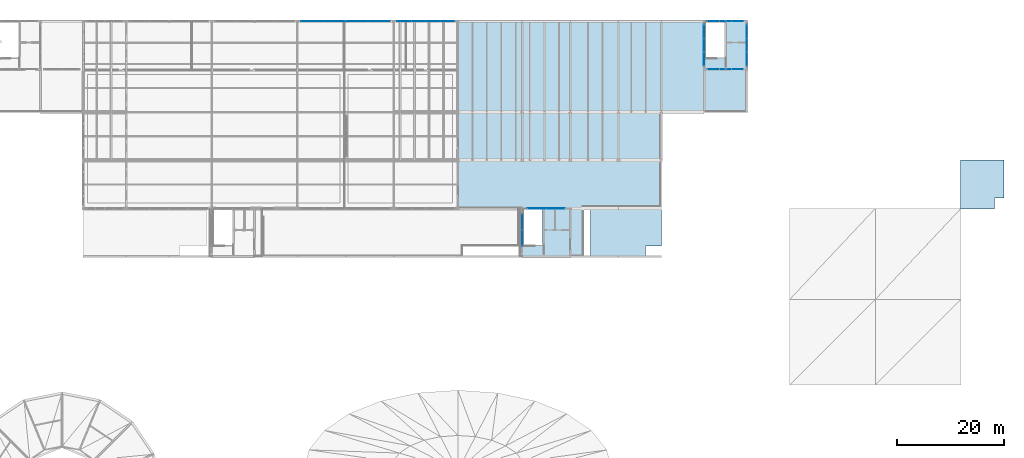
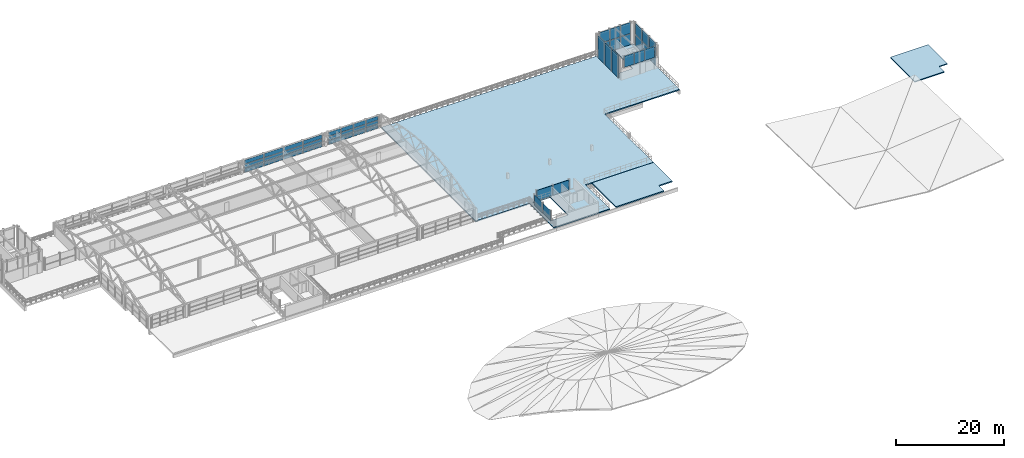
# One storey, part 29 of 50: 46 plates, 3 slabs, 8 elements without a shape of their own.
"""IFC4 building model written with IfcOpenShell, lengths in metres."""

from ifc_helpers import new_model, si_unit, derived_unit, direction, frame, origin, origin_2d, place, context, subcontext, project, spatial, polyline, rectangle, outline, extrude, material, layer, layer_set, type_object, element, aggregate, save


model = new_model("IFC4")

# Units and contexts
model_context = context("Model", 3, precision=1e-05, world=origin(), true_north=direction((0.0, 1.0)))
body_context = subcontext(model_context, "Body", "Model", "MODEL_VIEW")
ifc_project = project(units=[si_unit("LENGTHUNIT", "METRE"), si_unit("AREAUNIT", "SQUARE_METRE"), si_unit("VOLUMEUNIT", "CUBIC_METRE"), si_unit("PLANEANGLEUNIT", "RADIAN"), si_unit("MASSUNIT", "GRAM", prefix="KILO"), si_unit("THERMODYNAMICTEMPERATUREUNIT", "KELVIN"), derived_unit("THERMALTRANSMITTANCEUNIT", [(si_unit("POWERUNIT", "WATT"), 1), (si_unit("AREAUNIT", "SQUARE_METRE"), -1), (si_unit("THERMODYNAMICTEMPERATUREUNIT", "KELVIN"), -1)])], contexts=[model_context])

# Site, building, storey
site_placement = place(None, origin())
site = spatial("IfcSite", under=ifc_project, at=site_placement, CompositionType="ELEMENT")
building_placement = place(site_placement, origin())
building = spatial("IfcBuilding", under=site, at=building_placement, Name="Haiyu Intermodal Mobility Hub", CompositionType="ELEMENT")
storey_placement = place(building_placement, frame((0.0, 0.0, 25.10009765625)))
storey = spatial("IfcBuildingStorey", under=building, at=storey_placement, Name="L06", CompositionType="ELEMENT", Elevation=25.10009765625)

# Curtain wall, plates
ifc_material_1 = material(Name="Low-e laminated insulating glass", Category="glass")
ifc_layer_1 = layer(ifc_material_1, 0.199951171875)
ifc_layer_set_1 = layer_set([ifc_layer_1], Name="Low-e laminated insulating glass")
curtain_wall_type_1 = type_object("IfcCurtainWallType", Name="CW-CW03", PredefinedType="NOTDEFINED", material=ifc_layer_set_1)
curtain_wall_1_placement = place(storey_placement, origin())
curtain_wall_1 = element("IfcCurtainWall", 1, at=curtain_wall_1_placement, inside=storey, type_object=curtain_wall_type_1, Name="Curtain Wall CW-C4N-L06-075", PredefinedType="NOTDEFINED")
ifc_layer_2 = layer(ifc_material_1, 0.0400390625)
ifc_layer_set_2 = layer_set([ifc_layer_2], Name="Low-e laminated insulating glass")
plate_type_1 = type_object("IfcPlateType", Name="PLT-CP03", PredefinedType="CURTAIN_PANEL", material=ifc_layer_set_2)
plate_1_placement = place(storey_placement, frame((160.22705078125, 148.0, 0.035400390625), z_axis=(0.0, 0.0, 1.0), x_axis=(-1.0, 0.0, 0.0)))
plate_1 = element("IfcPlate", 2, at=plate_1_placement, type_object=plate_type_1, Name="CW-C4N-L06-075-PN01", PredefinedType="CURTAIN_PANEL", context=body_context, shape_type="SweptSolid", body=[
    extrude(rectangle(XDim=2.136962890625, YDim=0.0400390625, at=origin_2d()), origin(), (0.0, 0.0, 1.0), 2.5048828125),
])
plate_2_placement = place(storey_placement, frame((158.0, 148.0, 0.035400390625), z_axis=(0.0, 0.0, 1.0), x_axis=(-1.0, 0.0, 0.0)))
plate_2 = element("IfcPlate", 3, at=plate_2_placement, type_object=plate_type_1, Name="CW-C4N-L06-075-PN03", PredefinedType="CURTAIN_PANEL", context=body_context, shape_type="SweptSolid", body=[
    extrude(rectangle(XDim=2.136962890625, YDim=0.0400390625, at=origin_2d()), origin(), (0.0, 0.0, 1.0), 2.5048828125),
])
plate_3_placement = place(storey_placement, frame((155.77294921875, 148.0, 0.035400390625), z_axis=(0.0, 0.0, 1.0), x_axis=(-1.0, 0.0, 0.0)))
plate_3 = element("IfcPlate", 4, at=plate_3_placement, type_object=plate_type_1, Name="CW-C4N-L06-075-PN05", PredefinedType="CURTAIN_PANEL", context=body_context, shape_type="SweptSolid", body=[
    extrude(rectangle(XDim=2.136962890625, YDim=0.0400390625, at=origin_2d()), origin(), (0.0, 0.0, 1.0), 2.5048828125),
])

curtain_wall_2_placement = place(storey_placement, origin())
curtain_wall_2 = element("IfcCurtainWall", 5, at=curtain_wall_2_placement, inside=storey, type_object=curtain_wall_type_1, Name="Curtain Wall CW-C4S-L06-076", PredefinedType="NOTDEFINED")
plate_4_placement = place(storey_placement, frame((162.0, 140.93994140625, 0.035400390625), z_axis=(0.0, 0.0, 1.0), x_axis=(0.0, 1.0, 0.0)))
plate_4 = element("IfcPlate", 6, at=plate_4_placement, type_object=plate_type_1, Name="CW-C4S-L06-076-PN01", PredefinedType="CURTAIN_PANEL", context=body_context, shape_type="SweptSolid", body=[
    extrude(rectangle(XDim=2.469970703125, YDim=0.0400390625, at=origin_2d()), origin(), (0.0, 0.0, 1.0), 2.5048828125),
])
plate_5_placement = place(storey_placement, frame((162.0, 143.5, 0.035400390625), z_axis=(0.0, 0.0, 1.0), x_axis=(0.0, 1.0, 0.0)))
plate_5 = element("IfcPlate", 7, at=plate_5_placement, type_object=plate_type_1, Name="CW-C4S-L06-076-PN03", PredefinedType="CURTAIN_PANEL", context=body_context, shape_type="SweptSolid", body=[
    extrude(rectangle(XDim=2.469970703125, YDim=0.0400390625, at=origin_2d()), origin(), (0.0, 0.0, 1.0), 2.5048828125),
])
plate_6_placement = place(storey_placement, frame((162.0, 146.06005859375, 0.035400390625), z_axis=(0.0, 0.0, 1.0), x_axis=(0.0, 1.0, 0.0)))
plate_6 = element("IfcPlate", 8, at=plate_6_placement, type_object=plate_type_1, Name="CW-C4S-L06-076-PN05", PredefinedType="CURTAIN_PANEL", context=body_context, shape_type="SweptSolid", body=[
    extrude(rectangle(XDim=2.469970703125, YDim=0.0400390625, at=origin_2d()), origin(), (0.0, 0.0, 1.0), 2.5048828125),
])

ifc_layer_3 = layer(ifc_material_1, 0.22998046875)
ifc_layer_set_3 = layer_set([ifc_layer_3], Name="Low-e laminated insulating glass")
curtain_wall_type_2 = type_object("IfcCurtainWallType", Name="CW-CW05", PredefinedType="NOTDEFINED", material=ifc_layer_set_3)
curtain_wall_3_placement = place(storey_placement, origin())
curtain_wall_3 = element("IfcCurtainWall", 9, at=curtain_wall_3_placement, inside=storey, type_object=curtain_wall_type_2, Name="Curtain Wall CW-V3N-161", PredefinedType="NOTDEFINED")
plate_7_placement = place(storey_placement, frame((93.2548828125, 148.0, 0.034912109375), z_axis=(0.0, 0.0, 1.0), x_axis=(-1.0, 0.0, 0.0)))
plate_7 = element("IfcPlate", 10, at=plate_7_placement, type_object=plate_type_1, Name="CW-V3N-161-PN01", PredefinedType="CURTAIN_PANEL", context=body_context, shape_type="SweptSolid", body=[
    extrude(rectangle(XDim=4.080078125, YDim=0.0400390625, at=origin_2d()), origin(), (0.0, 0.0, 1.0), 0.8798828125),
])
plate_8_placement = place(storey_placement, frame((93.2548828125, 148.0, 0.98486328125), z_axis=(0.0, 0.0, 1.0), x_axis=(-1.0, 0.0, 0.0)))
plate_8 = element("IfcPlate", 11, at=plate_8_placement, type_object=plate_type_1, Name="CW-V3N-161-PN02", PredefinedType="CURTAIN_PANEL", context=body_context, shape_type="SweptSolid", body=[
    extrude(rectangle(XDim=4.080078125, YDim=0.0400390625, at=origin_2d()), origin(), (0.0, 0.0, 1.0), 0.8798828125),
])
plate_9_placement = place(storey_placement, frame((89.0849609375, 148.0, 0.034912109375), z_axis=(0.0, 0.0, 1.0), x_axis=(-1.0, 0.0, 0.0)))
plate_9 = element("IfcPlate", 12, at=plate_9_placement, type_object=plate_type_1, Name="CW-V3N-161-PN04", PredefinedType="CURTAIN_PANEL", context=body_context, shape_type="SweptSolid", body=[
    extrude(rectangle(XDim=4.080078125, YDim=0.0400390625, at=origin_2d()), origin(), (0.0, 0.0, 1.0), 0.8798828125),
])
plate_10_placement = place(storey_placement, frame((89.0849609375, 148.0, 0.98486328125), z_axis=(0.0, 0.0, 1.0), x_axis=(-1.0, 0.0, 0.0)))
plate_10 = element("IfcPlate", 13, at=plate_10_placement, type_object=plate_type_1, Name="CW-V3N-161-PN05", PredefinedType="CURTAIN_PANEL", context=body_context, shape_type="SweptSolid", body=[
    extrude(rectangle(XDim=4.080078125, YDim=0.0400390625, at=origin_2d()), origin(), (0.0, 0.0, 1.0), 0.8798828125),
])
plate_11_placement = place(storey_placement, frame((84.9150390625, 148.0, 0.034912109375), z_axis=(0.0, 0.0, 1.0), x_axis=(-1.0, 0.0, 0.0)))
plate_11 = element("IfcPlate", 14, at=plate_11_placement, type_object=plate_type_1, Name="CW-V3N-161-PN07", PredefinedType="CURTAIN_PANEL", context=body_context, shape_type="SweptSolid", body=[
    extrude(rectangle(XDim=4.080078125, YDim=0.0400390625, at=origin_2d()), origin(), (0.0, 0.0, 1.0), 0.8798828125),
])
plate_12_placement = place(storey_placement, frame((84.9150390625, 148.0, 0.98486328125), z_axis=(0.0, 0.0, 1.0), x_axis=(-1.0, 0.0, 0.0)))
plate_12 = element("IfcPlate", 15, at=plate_12_placement, type_object=plate_type_1, Name="CW-V3N-161-PN08", PredefinedType="CURTAIN_PANEL", context=body_context, shape_type="SweptSolid", body=[
    extrude(rectangle(XDim=4.080078125, YDim=0.0400390625, at=origin_2d()), origin(), (0.0, 0.0, 1.0), 0.8798828125),
])
plate_13_placement = place(storey_placement, frame((80.7451171875, 148.0, 0.034912109375), z_axis=(0.0, 0.0, 1.0), x_axis=(-1.0, 0.0, 0.0)))
plate_13 = element("IfcPlate", 16, at=plate_13_placement, type_object=plate_type_1, Name="CW-V3N-161-PN10", PredefinedType="CURTAIN_PANEL", context=body_context, shape_type="SweptSolid", body=[
    extrude(rectangle(XDim=4.080078125, YDim=0.0400390625, at=origin_2d()), origin(), (0.0, 0.0, 1.0), 0.8798828125),
])
plate_14_placement = place(storey_placement, frame((80.7451171875, 148.0, 0.98486328125), z_axis=(0.0, 0.0, 1.0), x_axis=(-1.0, 0.0, 0.0)))
plate_14 = element("IfcPlate", 17, at=plate_14_placement, type_object=plate_type_1, Name="CW-V3N-161-PN11", PredefinedType="CURTAIN_PANEL", context=body_context, shape_type="SweptSolid", body=[
    extrude(rectangle(XDim=4.080078125, YDim=0.0400390625, at=origin_2d()), origin(), (0.0, 0.0, 1.0), 0.8798828125),
])

curtain_wall_4_placement = place(storey_placement, origin())
curtain_wall_4 = element("IfcCurtainWall", 18, at=curtain_wall_4_placement, inside=storey, type_object=curtain_wall_type_2, Name="Curtain Wall CW-V3N-163", PredefinedType="NOTDEFINED")
plate_15_placement = place(storey_placement, frame((106.0048828125, 148.0, 0.034912109375), z_axis=(0.0, 0.0, 1.0), x_axis=(-1.0, 0.0, 0.0)))
plate_15 = element("IfcPlate", 19, at=plate_15_placement, type_object=plate_type_1, Name="CW-V3N-163-PN01", PredefinedType="CURTAIN_PANEL", context=body_context, shape_type="SweptSolid", body=[
    extrude(rectangle(XDim=2.580078125, YDim=0.0400390625, at=origin_2d()), origin(), (0.0, 0.0, 1.0), 0.8798828125),
])
plate_16_placement = place(storey_placement, frame((106.0048828125, 148.0, 0.98486328125), z_axis=(0.0, 0.0, 1.0), x_axis=(-1.0, 0.0, 0.0)))
plate_16 = element("IfcPlate", 20, at=plate_16_placement, type_object=plate_type_1, Name="CW-V3N-163-PN02", PredefinedType="CURTAIN_PANEL", context=body_context, shape_type="SweptSolid", body=[
    extrude(rectangle(XDim=2.580078125, YDim=0.0400390625, at=origin_2d()), origin(), (0.0, 0.0, 1.0), 0.8798828125),
])
plate_17_placement = place(storey_placement, frame((103.3349609375, 148.0, 0.034912109375), z_axis=(0.0, 0.0, 1.0), x_axis=(-1.0, 0.0, 0.0)))
plate_17 = element("IfcPlate", 21, at=plate_17_placement, type_object=plate_type_1, Name="CW-V3N-163-PN04", PredefinedType="CURTAIN_PANEL", context=body_context, shape_type="SweptSolid", body=[
    extrude(rectangle(XDim=2.580078125, YDim=0.0400390625, at=origin_2d()), origin(), (0.0, 0.0, 1.0), 0.8798828125),
])
plate_18_placement = place(storey_placement, frame((103.3349609375, 148.0, 0.98486328125), z_axis=(0.0, 0.0, 1.0), x_axis=(-1.0, 0.0, 0.0)))
plate_18 = element("IfcPlate", 22, at=plate_18_placement, type_object=plate_type_1, Name="CW-V3N-163-PN05", PredefinedType="CURTAIN_PANEL", context=body_context, shape_type="SweptSolid", body=[
    extrude(rectangle(XDim=2.580078125, YDim=0.0400390625, at=origin_2d()), origin(), (0.0, 0.0, 1.0), 0.8798828125),
])
plate_19_placement = place(storey_placement, frame((100.6650390625, 148.0, 0.034912109375), z_axis=(0.0, 0.0, 1.0), x_axis=(-1.0, 0.0, 0.0)))
plate_19 = element("IfcPlate", 23, at=plate_19_placement, type_object=plate_type_1, Name="CW-V3N-163-PN07", PredefinedType="CURTAIN_PANEL", context=body_context, shape_type="SweptSolid", body=[
    extrude(rectangle(XDim=2.580078125, YDim=0.0400390625, at=origin_2d()), origin(), (0.0, 0.0, 1.0), 0.8798828125),
])
plate_20_placement = place(storey_placement, frame((100.6650390625, 148.0, 0.98486328125), z_axis=(0.0, 0.0, 1.0), x_axis=(-1.0, 0.0, 0.0)))
plate_20 = element("IfcPlate", 24, at=plate_20_placement, type_object=plate_type_1, Name="CW-V3N-163-PN08", PredefinedType="CURTAIN_PANEL", context=body_context, shape_type="SweptSolid", body=[
    extrude(rectangle(XDim=2.580078125, YDim=0.0400390625, at=origin_2d()), origin(), (0.0, 0.0, 1.0), 0.8798828125),
])
plate_21_placement = place(storey_placement, frame((97.9951171875, 148.0, 0.034912109375), z_axis=(0.0, 0.0, 1.0), x_axis=(-1.0, 0.0, 0.0)))
plate_21 = element("IfcPlate", 25, at=plate_21_placement, type_object=plate_type_1, Name="CW-V3N-163-PN10", PredefinedType="CURTAIN_PANEL", context=body_context, shape_type="SweptSolid", body=[
    extrude(rectangle(XDim=2.580078125, YDim=0.0400390625, at=origin_2d()), origin(), (0.0, 0.0, 1.0), 0.8798828125),
])
plate_22_placement = place(storey_placement, frame((97.9951171875, 148.0, 0.98486328125), z_axis=(0.0, 0.0, 1.0), x_axis=(-1.0, 0.0, 0.0)))
plate_22 = element("IfcPlate", 26, at=plate_22_placement, type_object=plate_type_1, Name="CW-V3N-163-PN11", PredefinedType="CURTAIN_PANEL", context=body_context, shape_type="SweptSolid", body=[
    extrude(rectangle(XDim=2.580078125, YDim=0.0400390625, at=origin_2d()), origin(), (0.0, 0.0, 1.0), 0.8798828125),
])

curtain_wall_5_placement = place(storey_placement, origin())
curtain_wall_5 = element("IfcCurtainWall", 27, at=curtain_wall_5_placement, inside=storey, type_object=curtain_wall_type_1, Name="Curtain Wall CW-CGLZ-C4-1", PredefinedType="NOTDEFINED")
plate_23_placement = place(storey_placement, frame((154.0, 140.93994140625, 0.03466796875), z_axis=(0.0, 0.0, 1.0), x_axis=(0.0, 1.0, 0.0)))
plate_23 = element("IfcPlate", 28, at=plate_23_placement, type_object=plate_type_1, Name="CW-CGLZ-C4-1-PN01", PredefinedType="CURTAIN_PANEL", context=body_context, shape_type="SweptSolid", body=[
    extrude(rectangle(XDim=2.469970703125, YDim=0.0400390625, at=origin_2d()), origin(), (0.0, 0.0, 1.0), 5.110107421875),
])
plate_24_placement = place(storey_placement, frame((154.0, 143.5, 0.03466796875), z_axis=(0.0, 0.0, 1.0), x_axis=(0.0, 1.0, 0.0)))
plate_24 = element("IfcPlate", 29, at=plate_24_placement, type_object=plate_type_1, Name="CW-CGLZ-C4-1-PN02", PredefinedType="CURTAIN_PANEL", context=body_context, shape_type="SweptSolid", body=[
    extrude(rectangle(XDim=2.469970703125, YDim=0.0400390625, at=origin_2d()), origin(), (0.0, 0.0, 1.0), 5.110107421875),
])
plate_25_placement = place(storey_placement, frame((154.0, 146.06005859375, 0.03466796875), z_axis=(0.0, 0.0, 1.0), x_axis=(0.0, 1.0, 0.0)))
plate_25 = element("IfcPlate", 30, at=plate_25_placement, type_object=plate_type_1, Name="CW-CGLZ-C4-1-PN03", PredefinedType="CURTAIN_PANEL", context=body_context, shape_type="SweptSolid", body=[
    extrude(rectangle(XDim=2.469970703125, YDim=0.0400390625, at=origin_2d()), origin(), (0.0, 0.0, 1.0), 5.110107421875),
])
aggregate(curtain_wall_5, [plate_23, plate_24, plate_25])

curtain_wall_6_placement = place(storey_placement, origin())
curtain_wall_6 = element("IfcCurtainWall", 31, at=curtain_wall_6_placement, inside=storey, type_object=curtain_wall_type_1, Name="Curtain Wall CW-CGLZ-C4-2", PredefinedType="NOTDEFINED")
plate_26_placement = place(storey_placement, frame((155.77294921875, 139.0, 2.61474609375), z_axis=(0.0, 0.0, 1.0), x_axis=(1.0, 0.0, 0.0)))
plate_26 = element("IfcPlate", 32, at=plate_26_placement, type_object=plate_type_1, Name="CW-CGLZ-C4-2-PN01", PredefinedType="CURTAIN_PANEL", context=body_context, shape_type="SweptSolid", body=[
    extrude(rectangle(XDim=2.136962890625, YDim=0.0400390625, at=origin_2d()), origin(), (0.0, 0.0, 1.0), 2.530029296875),
])
plate_27_placement = place(storey_placement, frame((158.0, 139.0, 2.61474609375), z_axis=(0.0, 0.0, 1.0), x_axis=(1.0, 0.0, 0.0)))
plate_27 = element("IfcPlate", 33, at=plate_27_placement, type_object=plate_type_1, Name="CW-CGLZ-C4-2-PN02", PredefinedType="CURTAIN_PANEL", context=body_context, shape_type="SweptSolid", body=[
    extrude(rectangle(XDim=2.136962890625, YDim=0.0400390625, at=origin_2d()), origin(), (0.0, 0.0, 1.0), 2.530029296875),
])
plate_28_placement = place(storey_placement, frame((160.22705078125, 139.0, 2.61474609375), z_axis=(0.0, 0.0, 1.0), x_axis=(1.0, 0.0, 0.0)))
plate_28 = element("IfcPlate", 34, at=plate_28_placement, type_object=plate_type_1, Name="CW-CGLZ-C4-2-PN03", PredefinedType="CURTAIN_PANEL", context=body_context, shape_type="SweptSolid", body=[
    extrude(rectangle(XDim=2.136962890625, YDim=0.0400390625, at=origin_2d()), origin(), (0.0, 0.0, 1.0), 2.530029296875),
])
aggregate(curtain_wall_6, [plate_26, plate_27, plate_28])

curtain_wall_7_placement = place(storey_placement, origin())
curtain_wall_7 = element("IfcCurtainWall", 35, at=curtain_wall_7_placement, inside=storey, type_object=curtain_wall_type_1, Name="Curtain Wall CW-CPAR-C6-N", PredefinedType="NOTDEFINED")
plate_29_placement = place(storey_placement, frame((126.2548828125, 113.0, 0.034423828125), z_axis=(0.0, 0.0, 1.0), x_axis=(-1.0, 0.0, 0.0)))
plate_29 = element("IfcPlate", 36, at=plate_29_placement, type_object=plate_type_1, Name="CW-CPAR-C6-N-PN01", PredefinedType="CURTAIN_PANEL", context=body_context, shape_type="SweptSolid", body=[
    extrude(rectangle(XDim=3.419921875, YDim=0.0400390625, at=origin_2d()), origin(), (0.0, 0.0, 1.0), 2.31103515625),
])
plate_30_placement = place(storey_placement, frame((122.7451171875, 113.0, 0.034423828125), z_axis=(0.0, 0.0, 1.0), x_axis=(-1.0, 0.0, 0.0)))
plate_30 = element("IfcPlate", 37, at=plate_30_placement, type_object=plate_type_1, Name="CW-CPAR-C6-N-PN02", PredefinedType="CURTAIN_PANEL", context=body_context, shape_type="SweptSolid", body=[
    extrude(rectangle(XDim=3.419921875, YDim=0.0400390625, at=origin_2d()), origin(), (0.0, 0.0, 1.0), 2.31103515625),
])
aggregate(curtain_wall_7, [plate_29, plate_30])

curtain_wall_8_placement = place(storey_placement, origin())
curtain_wall_8 = element("IfcCurtainWall", 38, at=curtain_wall_8_placement, inside=storey, type_object=curtain_wall_type_1, Name="Curtain Wall CW-CPAR-C6-W", PredefinedType="NOTDEFINED")
plate_31_placement = place(storey_placement, frame((120.0, 110.491943359375, 0.034423828125), z_axis=(0.0, 0.0, 1.0), x_axis=(0.0, -1.0, 0.0)))
plate_31 = element("IfcPlate", 39, at=plate_31_placement, type_object=plate_type_1, Name="CW-CPAR-C6-W-PN01", PredefinedType="CURTAIN_PANEL", context=body_context, shape_type="SweptSolid", body=[
    extrude(rectangle(XDim=2.945068359375, YDim=0.0400390625, at=origin_2d()), origin(), (0.0, 0.0, 1.0), 2.31103515625),
])
plate_32_placement = place(storey_placement, frame((120.0, 107.4580078125, 0.034423828125), z_axis=(0.0, 0.0, 1.0), x_axis=(0.0, -1.0, 0.0)))
plate_32 = element("IfcPlate", 40, at=plate_32_placement, type_object=plate_type_1, Name="CW-CPAR-C6-W-PN02", PredefinedType="CURTAIN_PANEL", context=body_context, shape_type="SweptSolid", body=[
    extrude(rectangle(XDim=2.945068359375, YDim=0.0400390625, at=origin_2d()), origin(), (0.0, 0.0, 1.0), 2.31103515625),
])
aggregate(curtain_wall_8, [plate_31, plate_32])

# Plate
ifc_layer_4 = layer(ifc_material_1, 0.0439453125)
ifc_layer_set_4 = layer_set([ifc_layer_4], Name="Low-e laminated insulating glass")
plate_type_2 = type_object("IfcPlateType", Name="PLT-CP04", PredefinedType="CURTAIN_PANEL", material=ifc_layer_set_4)
plate_33_placement = place(storey_placement, frame((160.22705078125, 148.0, 2.609375), z_axis=(0.0, 0.0, 1.0), x_axis=(-1.0, 0.0, 0.0)))
plate_33 = element("IfcPlate", 41, at=plate_33_placement, type_object=plate_type_2, Name="CW-C4N-L06-075-PN02", PredefinedType="CURTAIN_PANEL", context=body_context, shape_type="SweptSolid", body=[
    extrude(rectangle(XDim=2.136962890625, YDim=0.0439453125, at=origin_2d()), origin(), (0.0, 0.0, 1.0), 2.5048828125),
])

plate_34_placement = place(storey_placement, frame((158.0, 148.0, 2.609375), z_axis=(0.0, 0.0, 1.0), x_axis=(-1.0, 0.0, 0.0)))
plate_34 = element("IfcPlate", 42, at=plate_34_placement, type_object=plate_type_2, Name="CW-C4N-L06-075-PN04", PredefinedType="CURTAIN_PANEL", context=body_context, shape_type="SweptSolid", body=[
    extrude(rectangle(XDim=2.136962890625, YDim=0.0439453125, at=origin_2d()), origin(), (0.0, 0.0, 1.0), 2.5048828125),
])

plate_35_placement = place(storey_placement, frame((155.77294921875, 148.0, 2.609375), z_axis=(0.0, 0.0, 1.0), x_axis=(-1.0, 0.0, 0.0)))
plate_35 = element("IfcPlate", 43, at=plate_35_placement, type_object=plate_type_2, Name="CW-C4N-L06-075-PN06", PredefinedType="CURTAIN_PANEL", context=body_context, shape_type="SweptSolid", body=[
    extrude(rectangle(XDim=2.136962890625, YDim=0.0439453125, at=origin_2d()), origin(), (0.0, 0.0, 1.0), 2.5048828125),
])

aggregate(curtain_wall_1, [plate_1, plate_33, plate_2, plate_34, plate_3, plate_35])

plate_36_placement = place(storey_placement, frame((162.0, 140.93994140625, 2.609375), z_axis=(0.0, 0.0, 1.0), x_axis=(0.0, 1.0, 0.0)))
plate_36 = element("IfcPlate", 44, at=plate_36_placement, type_object=plate_type_2, Name="CW-C4S-L06-076-PN02", PredefinedType="CURTAIN_PANEL", context=body_context, shape_type="SweptSolid", body=[
    extrude(rectangle(XDim=2.469970703125, YDim=0.0439453125, at=origin_2d()), origin(), (0.0, 0.0, 1.0), 2.5048828125),
])

plate_37_placement = place(storey_placement, frame((162.0, 143.5, 2.609375), z_axis=(0.0, 0.0, 1.0), x_axis=(0.0, 1.0, 0.0)))
plate_37 = element("IfcPlate", 45, at=plate_37_placement, type_object=plate_type_2, Name="CW-C4S-L06-076-PN04", PredefinedType="CURTAIN_PANEL", context=body_context, shape_type="SweptSolid", body=[
    extrude(rectangle(XDim=2.469970703125, YDim=0.0439453125, at=origin_2d()), origin(), (0.0, 0.0, 1.0), 2.5048828125),
])

plate_38_placement = place(storey_placement, frame((162.0, 146.06005859375, 2.609375), z_axis=(0.0, 0.0, 1.0), x_axis=(0.0, 1.0, 0.0)))
plate_38 = element("IfcPlate", 46, at=plate_38_placement, type_object=plate_type_2, Name="CW-C4S-L06-076-PN06", PredefinedType="CURTAIN_PANEL", context=body_context, shape_type="SweptSolid", body=[
    extrude(rectangle(XDim=2.469970703125, YDim=0.0439453125, at=origin_2d()), origin(), (0.0, 0.0, 1.0), 2.5048828125),
])

aggregate(curtain_wall_2, [plate_4, plate_36, plate_5, plate_37, plate_6, plate_38])

plate_39_placement = place(storey_placement, frame((93.2548828125, 148.0, 1.93505859375), z_axis=(0.0, 0.0, 1.0), x_axis=(-1.0, 0.0, 0.0)))
plate_39 = element("IfcPlate", 47, at=plate_39_placement, type_object=plate_type_2, Name="CW-V3N-161-PN03", PredefinedType="CURTAIN_PANEL", context=body_context, shape_type="SweptSolid", body=[
    extrude(rectangle(XDim=4.080078125, YDim=0.0439453125, at=origin_2d()), origin(), (0.0, 0.0, 1.0), 0.8798828125),
])

plate_40_placement = place(storey_placement, frame((89.0849609375, 148.0, 1.93505859375), z_axis=(0.0, 0.0, 1.0), x_axis=(-1.0, 0.0, 0.0)))
plate_40 = element("IfcPlate", 48, at=plate_40_placement, type_object=plate_type_2, Name="CW-V3N-161-PN06", PredefinedType="CURTAIN_PANEL", context=body_context, shape_type="SweptSolid", body=[
    extrude(rectangle(XDim=4.080078125, YDim=0.0439453125, at=origin_2d()), origin(), (0.0, 0.0, 1.0), 0.8798828125),
])

plate_41_placement = place(storey_placement, frame((84.9150390625, 148.0, 1.93505859375), z_axis=(0.0, 0.0, 1.0), x_axis=(-1.0, 0.0, 0.0)))
plate_41 = element("IfcPlate", 49, at=plate_41_placement, type_object=plate_type_2, Name="CW-V3N-161-PN09", PredefinedType="CURTAIN_PANEL", context=body_context, shape_type="SweptSolid", body=[
    extrude(rectangle(XDim=4.080078125, YDim=0.0439453125, at=origin_2d()), origin(), (0.0, 0.0, 1.0), 0.8798828125),
])

plate_42_placement = place(storey_placement, frame((80.7451171875, 148.0, 1.93505859375), z_axis=(0.0, 0.0, 1.0), x_axis=(-1.0, 0.0, 0.0)))
plate_42 = element("IfcPlate", 50, at=plate_42_placement, type_object=plate_type_2, Name="CW-V3N-161-PN12", PredefinedType="CURTAIN_PANEL", context=body_context, shape_type="SweptSolid", body=[
    extrude(rectangle(XDim=4.080078125, YDim=0.0439453125, at=origin_2d()), origin(), (0.0, 0.0, 1.0), 0.8798828125),
])

aggregate(curtain_wall_3, [plate_7, plate_8, plate_39, plate_9, plate_10, plate_40, plate_11, plate_12, plate_41, plate_13, plate_14, plate_42])

plate_43_placement = place(storey_placement, frame((106.0048828125, 148.0, 1.93505859375), z_axis=(0.0, 0.0, 1.0), x_axis=(-1.0, 0.0, 0.0)))
plate_43 = element("IfcPlate", 51, at=plate_43_placement, type_object=plate_type_2, Name="CW-V3N-163-PN03", PredefinedType="CURTAIN_PANEL", context=body_context, shape_type="SweptSolid", body=[
    extrude(rectangle(XDim=2.580078125, YDim=0.0439453125, at=origin_2d()), origin(), (0.0, 0.0, 1.0), 0.8798828125),
])

plate_44_placement = place(storey_placement, frame((103.3349609375, 148.0, 1.93505859375), z_axis=(0.0, 0.0, 1.0), x_axis=(-1.0, 0.0, 0.0)))
plate_44 = element("IfcPlate", 52, at=plate_44_placement, type_object=plate_type_2, Name="CW-V3N-163-PN06", PredefinedType="CURTAIN_PANEL", context=body_context, shape_type="SweptSolid", body=[
    extrude(rectangle(XDim=2.580078125, YDim=0.0439453125, at=origin_2d()), origin(), (0.0, 0.0, 1.0), 0.8798828125),
])

plate_45_placement = place(storey_placement, frame((100.6650390625, 148.0, 1.93505859375), z_axis=(0.0, 0.0, 1.0), x_axis=(-1.0, 0.0, 0.0)))
plate_45 = element("IfcPlate", 53, at=plate_45_placement, type_object=plate_type_2, Name="CW-V3N-163-PN09", PredefinedType="CURTAIN_PANEL", context=body_context, shape_type="SweptSolid", body=[
    extrude(rectangle(XDim=2.580078125, YDim=0.0439453125, at=origin_2d()), origin(), (0.0, 0.0, 1.0), 0.8798828125),
])

plate_46_placement = place(storey_placement, frame((97.9951171875, 148.0, 1.93505859375), z_axis=(0.0, 0.0, 1.0), x_axis=(-1.0, 0.0, 0.0)))
plate_46 = element("IfcPlate", 54, at=plate_46_placement, type_object=plate_type_2, Name="CW-V3N-163-PN12", PredefinedType="CURTAIN_PANEL", context=body_context, shape_type="SweptSolid", body=[
    extrude(rectangle(XDim=2.580078125, YDim=0.0439453125, at=origin_2d()), origin(), (0.0, 0.0, 1.0), 0.8798828125),
])

aggregate(curtain_wall_4, [plate_15, plate_16, plate_43, plate_17, plate_18, plate_44, plate_19, plate_20, plate_45, plate_21, plate_22, plate_46])

# Slabs
ifc_material_2 = material(Name="Concrete C40", Category="concrete")
ifc_layer_5 = layer(ifc_material_2, 0.25)
ifc_layer_set_5 = layer_set([ifc_layer_5], Name="Concrete C40")
slab_type_1 = type_object("IfcSlabType", Name="SLB-SL09", PredefinedType="FLOOR", material=ifc_layer_set_5)
slab_1_placement = place(storey_placement, frame((0.0, 0.0, -0.25)))
element("IfcSlab", 55, at=slab_1_placement, inside=storey, type_object=slab_type_1, Name="L06 Outdoor Basketball Court Terrace Slab", PredefinedType="FLOOR", context=body_context, shape_type="SweptSolid", body=[
    extrude(outline(polyline([(108.02001953125, 113.0), (119.5, 113.0), (119.5, 104.02001953125), (131.5, 104.02001953125), (131.5, 113.0), (146.0, 113.0), (146.0, 131.0), (162.0, 131.0), (162.0, 148.0), (108.02001953125, 148.0), (108.02001953125, 113.0)]), holes=[polyline([(154.219970703125, 141.14990234375), (157.85009765625, 141.14990234375), (157.85009765625, 147.949951171875), (154.219970703125, 147.949951171875), (154.219970703125, 141.14990234375)]), polyline([(120.219970703125, 106.14990234375), (123.85009765625, 106.14990234375), (123.85009765625, 112.949951171875), (120.219970703125, 112.949951171875), (120.219970703125, 106.14990234375)])]), origin(), (0.0, 0.0, 1.0), 0.25),
])
ifc_layer_6 = layer(ifc_material_2, 0.179931640625)
ifc_layer_set_6 = layer_set([ifc_layer_6], Name="Concrete C40")
slab_type_2 = type_object("IfcSlabType", Name="SLB-SL12", PredefinedType="ROOF", material=ifc_layer_set_6)
slab_2_placement = place(storey_placement, frame((0.0, 0.0, -0.255126953125)))
element("IfcSlab", 56, at=slab_2_placement, inside=storey, type_object=slab_type_2, Name="SLB-L06-ERF", PredefinedType="ROOF", context=body_context, shape_type="SweptSolid", body=[
    extrude(outline(polyline([(132.800048828125, 104.02001953125), (143.095947265625, 104.02001953125), (143.095947265625, 105.987060546875), (146.0, 105.987060546875), (146.0, 112.9599609375), (132.800048828125, 112.9599609375), (132.800048828125, 104.02001953125)])), origin(), (0.0, 0.0, 1.0), 0.255126953125),
])
slab_3_placement = place(storey_placement, frame((0.0, 0.0, -1.5)))
element("IfcSlab", 57, at=slab_3_placement, inside=storey, type_object=slab_type_2, Name="Core C10 Skylight Headhouse Cap", PredefinedType="ROOF", context=body_context, shape_type="SweptSolid", body=[
    extrude(outline(polyline([(201.949951171875, 112.949951171875), (208.26806640625, 112.949951171875), (208.26806640625, 114.951904296875), (210.050048828125, 114.951904296875), (210.050048828125, 122.050048828125), (201.949951171875, 122.050048828125), (201.949951171875, 112.949951171875)])), origin(), (0.0, 0.0, 1.0), 0.219970703125),
])

save(model, "model.ifc")
